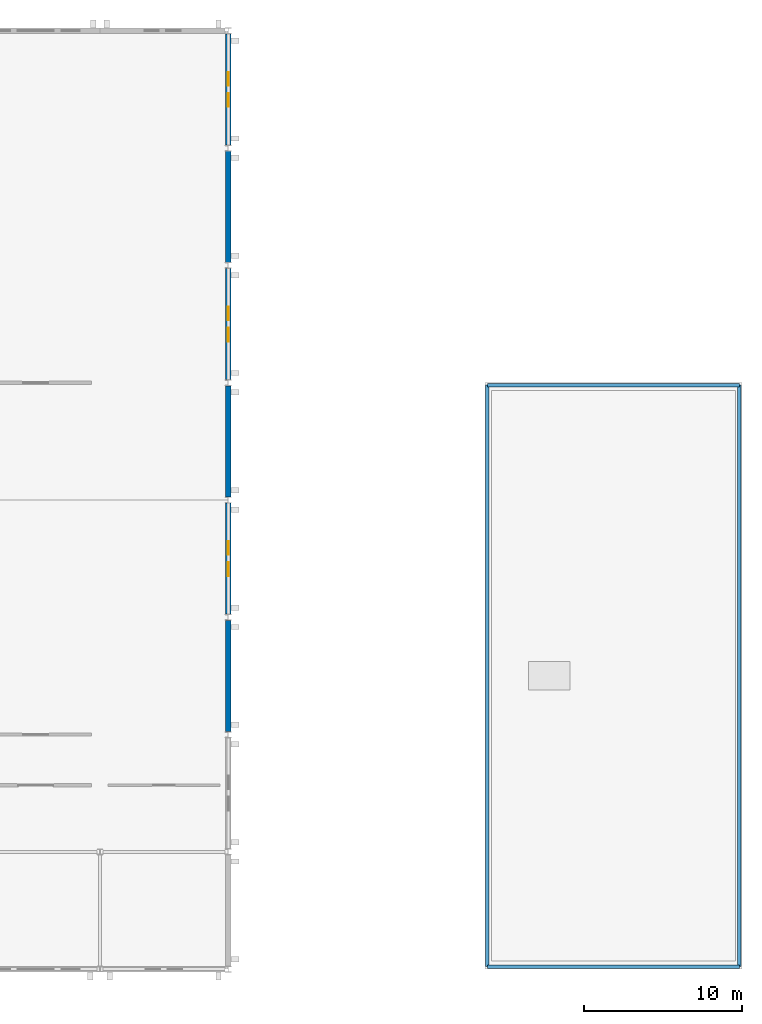
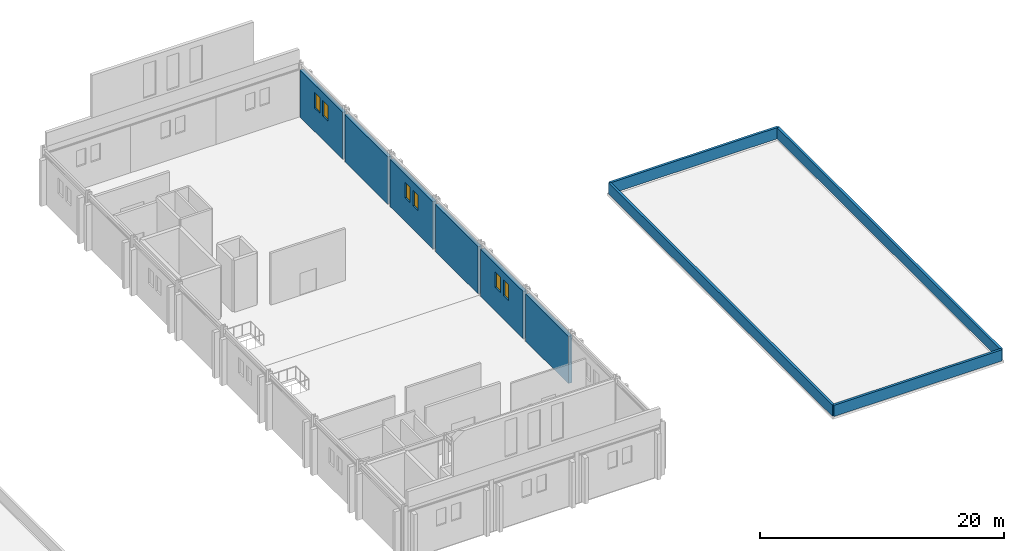
# One storey, part 9 of 10: 10 walls, 6 windows, 6 openings.
"""IFC4 building model written with IfcOpenShell, lengths in metres."""

from ifc_helpers import new_model, si_unit, direction, frame, frame_2d, origin, place, context, subcontext, project, spatial, rectangle, extrude, material, layer, layer_set, type_object, element, fill, save


model = new_model("IFC4")

# Units and contexts
model_context = context("Model", 3, precision=1e-05, world=origin(), true_north=direction((0.0, 1.0)))
body_context = subcontext(model_context, "Body", "Model", "MODEL_VIEW")
ifc_project = project(units=[si_unit("LENGTHUNIT", "METRE"), si_unit("AREAUNIT", "SQUARE_METRE"), si_unit("VOLUMEUNIT", "CUBIC_METRE"), si_unit("PLANEANGLEUNIT", "RADIAN"), si_unit("MASSUNIT", "GRAM", prefix="KILO")], contexts=[model_context])

# Site, building, storey
site_placement = place(None, origin())
site = spatial("IfcSite", under=ifc_project, at=site_placement, CompositionType="ELEMENT")
building_placement = place(site_placement, origin())
building = spatial("IfcBuilding", under=site, at=building_placement, Name="Cimatlan Art Gallery", CompositionType="ELEMENT")
storey_placement = place(building_placement, frame((0.0, 0.0, 21.0)))
storey = spatial("IfcBuildingStorey", under=building, at=storey_placement, Name="L05", CompositionType="ELEMENT", Elevation=21.0)

# Wall
ifc_material_1 = material(Name="Precast concrete C40/50", Category="concrete")
ifc_layer_1 = layer(ifc_material_1, 0.340087890625)
ifc_layer_set_1 = layer_set([ifc_layer_1], Name="Precast concrete C40/50")
wall_type_1 = type_object("IfcWallType", Name="WL-EXT-STD-340", PredefinedType="SOLIDWALL", material=ifc_layer_set_1)
wall_1_placement = place(storey_placement, frame((99.199951171875, 45.907958984375, 0.0), z_axis=(0.0, 0.0, 1.0), x_axis=(0.0, -1.0, 0.0)))
element("IfcWall", 1, at=wall_1_placement, inside=storey, type_object=wall_type_1, Name="WL-EXT-L05-11-05-E", PredefinedType="SOLIDWALL", context=body_context, shape_type="SweptSolid", body=[
    extrude(rectangle(XDim=7.015869140625, YDim=0.340087890625, at=frame_2d((3.5078125, 0.0))), origin(), (0.0, 0.0, 1.0), 4.718017578125),
])

# Wall, openings, windows
wall_2_placement = place(storey_placement, frame((99.199951171875, 53.30810546875, 0.0), z_axis=(0.0, 0.0, 1.0), x_axis=(0.0, -1.0, 0.0)))
wall_2 = element("IfcWall", 2, at=wall_2_placement, inside=storey, type_object=wall_type_1, Name="WL-EXT-L05-11-06-E", PredefinedType="SOLIDWALL", context=body_context, shape_type="SweptSolid", body=[
    extrude(rectangle(XDim=7.01611328125, YDim=0.340087890625, at=frame_2d((3.508056640625, 0.0))), origin(), (0.0, 0.0, 1.0), 4.718017578125),
])
opening_1_placement = place(wall_2_placement, frame((2.407958984375, 0.0, 2.35009765625)))
opening_1 = element("IfcOpeningElement", 3, at=opening_1_placement, cuts=wall_2, Name="Opening WN-0415", PredefinedType="OPENING", context=body_context, shape_type="SweptSolid", body=[
    extrude(rectangle(XDim=0.860107421875, YDim=1.580078125, at=frame_2d((0.43017578125, 0.7900390625))), frame((0.0, 0.18017578125, 0.0), z_axis=(0.0, -1.0, 0.0), x_axis=(1.0, 0.0, 0.0)), (0.0, 0.0, 1.0), 0.360107421875),
])
opening_2_placement = place(wall_2_placement, frame((3.748046875, 0.0, 2.35009765625)))
opening_2 = element("IfcOpeningElement", 4, at=opening_2_placement, cuts=wall_2, Name="Opening WN-0416", PredefinedType="OPENING", context=body_context, shape_type="SweptSolid", body=[
    extrude(rectangle(XDim=0.860107421875, YDim=1.580078125, at=frame_2d((0.43017578125, 0.7900390625))), frame((0.0, 0.18017578125, 0.0), z_axis=(0.0, -1.0, 0.0), x_axis=(1.0, 0.0, 0.0)), (0.0, 0.0, 1.0), 0.360107421875),
])
ifc_material_2 = material(Name="Low-E laminated double glazing in bronze lancet frame", Category="glass")
window_type = type_object("IfcWindowType", Name="WIN-CLR-E-0860X1580", PartitioningType="SINGLE_PANEL", PredefinedType="WINDOW", material=ifc_material_2)
window_1_placement = place(opening_1_placement, origin())
window_1 = element("IfcWindow", 5, at=window_1_placement, inside=storey, type_object=window_type, Name="WIN-0415", OverallHeight=1.580078125, OverallWidth=0.860107421875, PartitioningType="SINGLE_PANEL", PredefinedType="WINDOW", context=body_context, shape_type="SweptSolid", body=[
    extrude(rectangle(XDim=0.860107421875, YDim=1.580078125, at=frame_2d((0.43017578125, 0.7900390625))), frame((0.0, 0.030029296875, 0.0), z_axis=(0.0, -1.0, 0.0), x_axis=(1.0, 0.0, 0.0)), (0.0, 0.0, 1.0), 0.06005859375),
])
fill(opening_1, window_1)
window_2_placement = place(opening_2_placement, origin())
window_2 = element("IfcWindow", 6, at=window_2_placement, inside=storey, type_object=window_type, Name="WIN-0416", OverallHeight=1.580078125, OverallWidth=0.860107421875, PartitioningType="SINGLE_PANEL", PredefinedType="WINDOW", context=body_context, shape_type="SweptSolid", body=[
    extrude(rectangle(XDim=0.860107421875, YDim=1.580078125, at=frame_2d((0.43017578125, 0.7900390625))), frame((0.0, 0.030029296875, 0.0), z_axis=(0.0, -1.0, 0.0), x_axis=(1.0, 0.0, 0.0)), (0.0, 0.0, 1.0), 0.06005859375),
])
fill(opening_2, window_2)

# Wall
wall_3_placement = place(storey_placement, frame((99.199951171875, 60.7080078125, 0.0), z_axis=(0.0, 0.0, 1.0), x_axis=(0.0, -1.0, 0.0)))
element("IfcWall", 7, at=wall_3_placement, inside=storey, type_object=wall_type_1, Name="WL-EXT-L05-11-07-E", PredefinedType="SOLIDWALL", context=body_context, shape_type="SweptSolid", body=[
    extrude(rectangle(XDim=7.01611328125, YDim=0.340087890625, at=frame_2d((3.508056640625, 0.0))), origin(), (0.0, 0.0, 1.0), 4.718017578125),
])

# Wall, openings, windows
wall_4_placement = place(storey_placement, frame((99.199951171875, 68.10791015625, 0.0), z_axis=(0.0, 0.0, 1.0), x_axis=(0.0, -1.0, 0.0)))
wall_4 = element("IfcWall", 8, at=wall_4_placement, inside=storey, type_object=wall_type_1, Name="WL-EXT-L05-11-08-E", PredefinedType="SOLIDWALL", context=body_context, shape_type="SweptSolid", body=[
    extrude(rectangle(XDim=7.015869140625, YDim=0.340087890625, at=frame_2d((3.5078125, 0.0))), origin(), (0.0, 0.0, 1.0), 4.718017578125),
])
opening_3_placement = place(wall_4_placement, frame((2.407958984375, 0.0, 2.35009765625)))
opening_3 = element("IfcOpeningElement", 9, at=opening_3_placement, cuts=wall_4, Name="Opening WN-0417", PredefinedType="OPENING", context=body_context, shape_type="SweptSolid", body=[
    extrude(rectangle(XDim=0.860107421875, YDim=1.580078125, at=frame_2d((0.43017578125, 0.7900390625))), frame((0.0, 0.18017578125, 0.0), z_axis=(0.0, -1.0, 0.0), x_axis=(1.0, 0.0, 0.0)), (0.0, 0.0, 1.0), 0.360107421875),
])
opening_4_placement = place(wall_4_placement, frame((3.748046875, 0.0, 2.35009765625)))
opening_4 = element("IfcOpeningElement", 10, at=opening_4_placement, cuts=wall_4, Name="Opening WN-0418", PredefinedType="OPENING", context=body_context, shape_type="SweptSolid", body=[
    extrude(rectangle(XDim=0.860107421875, YDim=1.580078125, at=frame_2d((0.43017578125, 0.7900390625))), frame((0.0, 0.18017578125, 0.0), z_axis=(0.0, -1.0, 0.0), x_axis=(1.0, 0.0, 0.0)), (0.0, 0.0, 1.0), 0.360107421875),
])
window_3_placement = place(opening_3_placement, origin())
window_3 = element("IfcWindow", 11, at=window_3_placement, inside=storey, type_object=window_type, Name="WIN-0417", OverallHeight=1.580078125, OverallWidth=0.860107421875, PartitioningType="SINGLE_PANEL", PredefinedType="WINDOW", context=body_context, shape_type="SweptSolid", body=[
    extrude(rectangle(XDim=0.860107421875, YDim=1.580078125, at=frame_2d((0.43017578125, 0.7900390625))), frame((0.0, 0.030029296875, 0.0), z_axis=(0.0, -1.0, 0.0), x_axis=(1.0, 0.0, 0.0)), (0.0, 0.0, 1.0), 0.06005859375),
])
fill(opening_3, window_3)
window_4_placement = place(opening_4_placement, origin())
window_4 = element("IfcWindow", 12, at=window_4_placement, inside=storey, type_object=window_type, Name="WIN-0418", OverallHeight=1.580078125, OverallWidth=0.860107421875, PartitioningType="SINGLE_PANEL", PredefinedType="WINDOW", context=body_context, shape_type="SweptSolid", body=[
    extrude(rectangle(XDim=0.860107421875, YDim=1.580078125, at=frame_2d((0.43017578125, 0.7900390625))), frame((0.0, 0.030029296875, 0.0), z_axis=(0.0, -1.0, 0.0), x_axis=(1.0, 0.0, 0.0)), (0.0, 0.0, 1.0), 0.06005859375),
])
fill(opening_4, window_4)

# Wall
wall_5_placement = place(storey_placement, frame((99.199951171875, 75.508056640625, 0.0), z_axis=(0.0, 0.0, 1.0), x_axis=(0.0, -1.0, 0.0)))
element("IfcWall", 13, at=wall_5_placement, inside=storey, type_object=wall_type_1, Name="WL-EXT-L05-11-09-E", PredefinedType="SOLIDWALL", context=body_context, shape_type="SweptSolid", body=[
    extrude(rectangle(XDim=7.01611328125, YDim=0.340087890625, at=frame_2d((3.508056640625, 0.0))), origin(), (0.0, 0.0, 1.0), 4.718017578125),
])

# Wall, openings, windows
wall_6_placement = place(storey_placement, frame((99.199951171875, 82.907958984375, 0.0), z_axis=(0.0, 0.0, 1.0), x_axis=(0.0, -1.0, 0.0)))
wall_6 = element("IfcWall", 14, at=wall_6_placement, inside=storey, type_object=wall_type_1, Name="WL-EXT-L05-11-10-E", PredefinedType="SOLIDWALL", context=body_context, shape_type="SweptSolid", body=[
    extrude(rectangle(XDim=7.015869140625, YDim=0.340087890625, at=frame_2d((3.5078125, 0.0))), origin(), (0.0, 0.0, 1.0), 4.700927734375),
])
opening_5_placement = place(wall_6_placement, frame((2.407958984375, 0.0, 2.35009765625)))
opening_5 = element("IfcOpeningElement", 15, at=opening_5_placement, cuts=wall_6, Name="Opening WN-0421", PredefinedType="OPENING", context=body_context, shape_type="SweptSolid", body=[
    extrude(rectangle(XDim=0.860107421875, YDim=1.580078125, at=frame_2d((0.43017578125, 0.7900390625))), frame((0.0, 0.18017578125, 0.0), z_axis=(0.0, -1.0, 0.0), x_axis=(1.0, 0.0, 0.0)), (0.0, 0.0, 1.0), 0.360107421875),
])
opening_6_placement = place(wall_6_placement, frame((3.748046875, 0.0, 2.35009765625)))
opening_6 = element("IfcOpeningElement", 16, at=opening_6_placement, cuts=wall_6, Name="Opening WN-0422", PredefinedType="OPENING", context=body_context, shape_type="SweptSolid", body=[
    extrude(rectangle(XDim=0.860107421875, YDim=1.580078125, at=frame_2d((0.43017578125, 0.7900390625))), frame((0.0, 0.18017578125, 0.0), z_axis=(0.0, -1.0, 0.0), x_axis=(1.0, 0.0, 0.0)), (0.0, 0.0, 1.0), 0.360107421875),
])
window_5_placement = place(opening_5_placement, origin())
window_5 = element("IfcWindow", 17, at=window_5_placement, inside=storey, type_object=window_type, Name="WIN-0421", OverallHeight=1.580078125, OverallWidth=0.860107421875, PartitioningType="SINGLE_PANEL", PredefinedType="WINDOW", context=body_context, shape_type="SweptSolid", body=[
    extrude(rectangle(XDim=0.860107421875, YDim=1.580078125, at=frame_2d((0.43017578125, 0.7900390625))), frame((0.0, 0.030029296875, 0.0), z_axis=(0.0, -1.0, 0.0), x_axis=(1.0, 0.0, 0.0)), (0.0, 0.0, 1.0), 0.06005859375),
])
fill(opening_5, window_5)
window_6_placement = place(opening_6_placement, origin())
window_6 = element("IfcWindow", 18, at=window_6_placement, inside=storey, type_object=window_type, Name="WIN-0422", OverallHeight=1.580078125, OverallWidth=0.860107421875, PartitioningType="SINGLE_PANEL", PredefinedType="WINDOW", context=body_context, shape_type="SweptSolid", body=[
    extrude(rectangle(XDim=0.860107421875, YDim=1.580078125, at=frame_2d((0.43017578125, 0.7900390625))), frame((0.0, 0.030029296875, 0.0), z_axis=(0.0, -1.0, 0.0), x_axis=(1.0, 0.0, 0.0)), (0.0, 0.0, 1.0), 0.06005859375),
])
fill(opening_6, window_6)

# Walls
ifc_layer_2 = layer(ifc_material_1, 0.22509765625)
ifc_layer_set_2 = layer_set([ifc_layer_2], Name="Precast concrete C40/50")
wall_type_2 = type_object("IfcWallType", Name="WL-PAR-225", PredefinedType="PARAPET", material=ifc_layer_set_2)
wall_7_placement = place(storey_placement, frame((115.550048828125, 24.050048828125, 0.0), z_axis=(0.0, 0.0, 1.0), x_axis=(1.0, 0.0, 0.0)))
element("IfcWall", 19, at=wall_7_placement, inside=storey, type_object=wall_type_2, Name="WL-PAR-013", PredefinedType="PARAPET", context=body_context, shape_type="SweptSolid", body=[
    extrude(rectangle(XDim=15.89990234375, YDim=0.22509765625, at=frame_2d((7.949951171875, 0.0))), origin(), (0.0, 0.0, 1.0), 1.1201171875),
])
wall_8_placement = place(storey_placement, frame((131.449951171875, 24.050048828125, 0.0), z_axis=(0.0, 0.0, 1.0), x_axis=(0.0, 1.0, 0.0)))
element("IfcWall", 20, at=wall_8_placement, inside=storey, type_object=wall_type_2, Name="WL-PAR-014", PredefinedType="PARAPET", context=body_context, shape_type="SweptSolid", body=[
    extrude(rectangle(XDim=36.699951171875, YDim=0.22509765625, at=frame_2d((18.35009765625, 0.0))), origin(), (0.0, 0.0, 1.0), 1.1201171875),
])
wall_9_placement = place(storey_placement, frame((131.449951171875, 60.75, 0.0), z_axis=(0.0, 0.0, 1.0), x_axis=(-1.0, 0.0, 0.0)))
element("IfcWall", 21, at=wall_9_placement, inside=storey, type_object=wall_type_2, Name="WL-PAR-015", PredefinedType="PARAPET", context=body_context, shape_type="SweptSolid", body=[
    extrude(rectangle(XDim=15.89990234375, YDim=0.22509765625, at=frame_2d((7.949951171875, 0.0))), origin(), (0.0, 0.0, 1.0), 1.1201171875),
])
wall_10_placement = place(storey_placement, frame((115.550048828125, 60.75, 0.0), z_axis=(0.0, 0.0, 1.0), x_axis=(0.0, -1.0, 0.0)))
element("IfcWall", 22, at=wall_10_placement, inside=storey, type_object=wall_type_2, Name="WL-PAR-016", PredefinedType="PARAPET", context=body_context, shape_type="SweptSolid", body=[
    extrude(rectangle(XDim=36.699951171875, YDim=0.22509765625, at=frame_2d((18.35009765625, 0.0))), origin(), (0.0, 0.0, 1.0), 1.1201171875),
])

save(model, "model.ifc")
